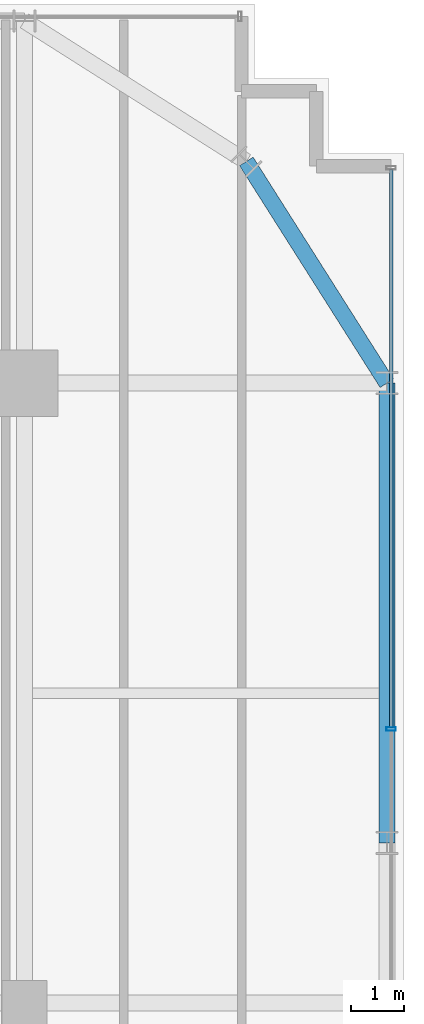
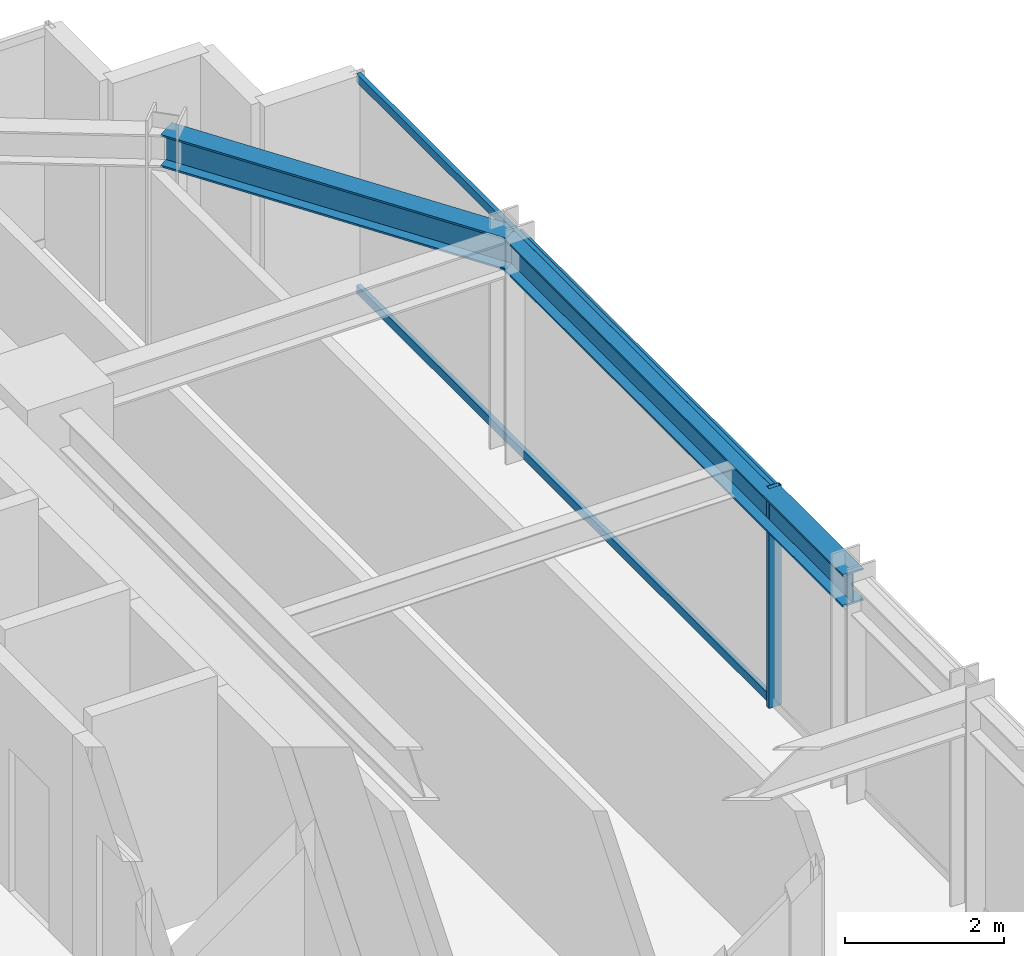
# One storey, part 21 of 31: 3 members, 2 beams, 1 element without a shape of its own.
"""IFC4 building model written with IfcOpenShell, lengths in metres."""

from ifc_helpers import new_model, si_unit, direction, frame, origin, origin_2d, place, context, subcontext, project, spatial, hollow_rectangle, i_section, extrude, source, transform, mapped, material, material_profile, profile_set, type_object, element, aggregate, save


model = new_model("IFC4")

# Units and contexts
model_context = context("Model", 3, precision=1e-05, world=origin(), true_north=direction((0.0, 1.0)))
body_context = subcontext(model_context, "Body", "Model", "MODEL_VIEW")
ifc_project = project(units=[si_unit("LENGTHUNIT", "METRE"), si_unit("AREAUNIT", "SQUARE_METRE"), si_unit("VOLUMEUNIT", "CUBIC_METRE"), si_unit("PLANEANGLEUNIT", "RADIAN"), si_unit("MASSUNIT", "GRAM", prefix="KILO")], contexts=[model_context])

# Site, building, storey
site_placement = place(None, origin())
site = spatial("IfcSite", under=ifc_project, at=site_placement, CompositionType="ELEMENT")
building_placement = place(site_placement, origin())
building = spatial("IfcBuilding", under=site, at=building_placement, Name="Nahalor Promenade Grand Hotel", CompositionType="ELEMENT")
storey_placement = place(building_placement, frame((0.0, 0.0, 95.60009765625)))
storey = spatial("IfcBuildingStorey", under=building, at=storey_placement, Name="L23", CompositionType="ELEMENT", Elevation=95.60009765625)

# Beams
ifc_material_1 = material(Name="Steel S355JR", Category="steel")
ifc_material_profile_1 = material_profile(ifc_material_1, i_section(OverallWidth=0.3, OverallDepth=0.5, WebThickness=0.0145, FlangeThickness=0.028, at=origin_2d()), Name="HEB 500")
ifc_profile_set_1 = profile_set([ifc_material_profile_1], Name="Steel S355JR")
beam_type = type_object("IfcBeamType", Name="Beam-Spandrel-HEB500", PredefinedType="SPANDREL", material=ifc_profile_set_1)
shared_shape_1 = source(origin(), body_context, "Body", "SweptSolid", [
    extrude(i_section(OverallWidth=0.3, OverallDepth=0.5, WebThickness=0.0145, FlangeThickness=0.028, at=origin_2d()), origin(), (0.0, 0.0, 1.0), 8.60009765625),
])
beam_1_placement = place(storey_placement, frame((23.780029296875, 8.39990234375, 3.1298828125), z_axis=(0.0, 1.0, 0.0), x_axis=(-1.0, 0.0, 0.0)))
element("IfcBeam", 1, at=beam_1_placement, inside=storey, type_object=beam_type, Name="BM-L23-SP-E-4", PredefinedType="SPANDREL", context=body_context, shape_type="MappedRepresentation", body=[
    mapped(shared_shape_1, transform((0.0, 0.0, 0.0), scale=1.0)),
])
shared_shape_2 = source(origin(), body_context, "Body", "SweptSolid", [
    extrude(i_section(OverallWidth=0.3, OverallDepth=0.5, WebThickness=0.0145, FlangeThickness=0.028, at=origin_2d()), origin(), (0.0, 0.0, 1.0), 4.9130859375),
])
beam_2_placement = place(storey_placement, frame((21.14990234375, 21.14990234375, 3.1298828125), z_axis=(0.535321591403, -0.844648325505, 0.0), x_axis=(0.844648325505, 0.535321591403, 0.0)))
element("IfcBeam", 2, at=beam_2_placement, inside=storey, type_object=beam_type, Name="BM-L23-SPC-NE-2", PredefinedType="SPANDREL", context=body_context, shape_type="MappedRepresentation", body=[
    mapped(shared_shape_2, transform((0.0, 0.0, 0.0), scale=1.0)),
])

# Curtain wall, members
ifc_material_2 = material(Name="Anodised Bronze Aluminium EN AW-6063 T6", Category="aluminium")
curtain_wall_type = type_object("IfcCurtainWallType", Name="CW2 Typical Hotel Flush Bronze Unitised Curtain Wall", PredefinedType="USERDEFINED", material=ifc_material_2)
curtain_wall_placement = place(storey_placement, origin())
curtain_wall = element("IfcCurtainWall", 3, at=curtain_wall_placement, inside=storey, type_object=curtain_wall_type, Name="L23 Curtain Wall CW-L23-E-1", ObjectType="UNITISED_CURTAIN_WALL", PredefinedType="USERDEFINED")
ifc_material_profile_2 = material_profile(ifc_material_2, hollow_rectangle(XDim=0.065, YDim=0.18, WallThickness=0.004, at=origin_2d()), Name="CWM 65x180x4")
ifc_profile_set_2 = profile_set([ifc_material_profile_2], Name="Anodised Bronze Aluminium EN AW-6063 T6")
member_type_1 = type_object("IfcMemberType", Name="CWM2 Typical Bronze Mullion 65x180", PredefinedType="MULLION", material=ifc_profile_set_2)
shared_shape_3 = source(origin(), body_context, "Body", "SweptSolid", [
    extrude(hollow_rectangle(XDim=0.065, YDim=0.18, WallThickness=0.004, at=origin_2d()), origin(), (0.0, 0.0, 1.0), 3.3798828125),
])
member_1_placement = place(storey_placement, frame((23.860107421875, 10.530029296875, 0.0), z_axis=(0.0, 0.0, 1.0), x_axis=(0.0, 1.0, 0.0)))
member_1 = element("IfcMember", 4, at=member_1_placement, type_object=member_type_1, Name="CW-L23-E-1 Mullion 3", PredefinedType="MULLION", context=body_context, shape_type="MappedRepresentation", body=[
    mapped(shared_shape_3, transform((0.0, 0.0, 0.0), scale=1.0)),
])
ifc_material_profile_3 = material_profile(ifc_material_2, hollow_rectangle(XDim=0.065, YDim=0.13, WallThickness=0.004, at=origin_2d()), Name="CWT 65x130x4")
ifc_profile_set_3 = profile_set([ifc_material_profile_3], Name="Anodised Bronze Aluminium EN AW-6063 T6")
member_type_2 = type_object("IfcMemberType", Name="CWT2 Typical Bronze Transom 65x130", PredefinedType="USERDEFINED", material=ifc_profile_set_3)
shared_shape_4 = source(origin(), body_context, "Body", "SweptSolid", [
    extrude(hollow_rectangle(XDim=0.065, YDim=0.13, WallThickness=0.004, at=origin_2d()), origin(), (0.0, 0.0, 1.0), 10.4326171875),
])
member_2_placement = place(storey_placement, frame((23.860107421875, 10.5625, 0.06494140625), z_axis=(0.0, 1.0, 0.0), x_axis=(-1.0, 0.0, 0.0)))
member_2 = element("IfcMember", 5, at=member_2_placement, type_object=member_type_2, Name="CW-L23-E-1 Transom 3-0", ObjectType="TRANSOM", PredefinedType="USERDEFINED", context=body_context, shape_type="MappedRepresentation", body=[
    mapped(shared_shape_4, transform((0.0, 0.0, 0.0), scale=1.0)),
])
member_3_placement = place(storey_placement, frame((23.860107421875, 10.5625, 3.31494140625), z_axis=(0.0, 1.0, 0.0), x_axis=(-1.0, 0.0, 0.0)))
member_3 = element("IfcMember", 6, at=member_3_placement, type_object=member_type_2, Name="CW-L23-E-1 Transom 3-1", ObjectType="TRANSOM", PredefinedType="USERDEFINED", context=body_context, shape_type="MappedRepresentation", body=[
    mapped(shared_shape_4, transform((0.0, 0.0, 0.0), scale=1.0)),
])
aggregate(curtain_wall, [member_1, member_2, member_3])

save(model, "model.ifc")
